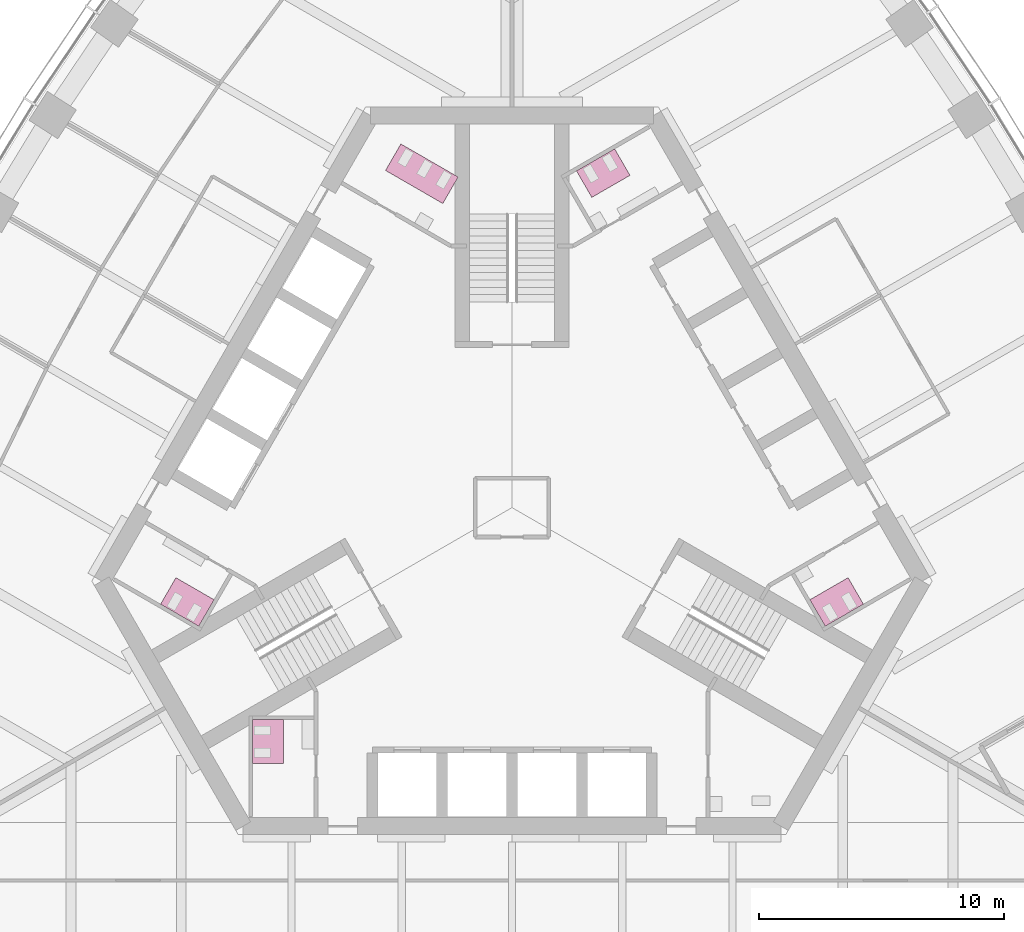
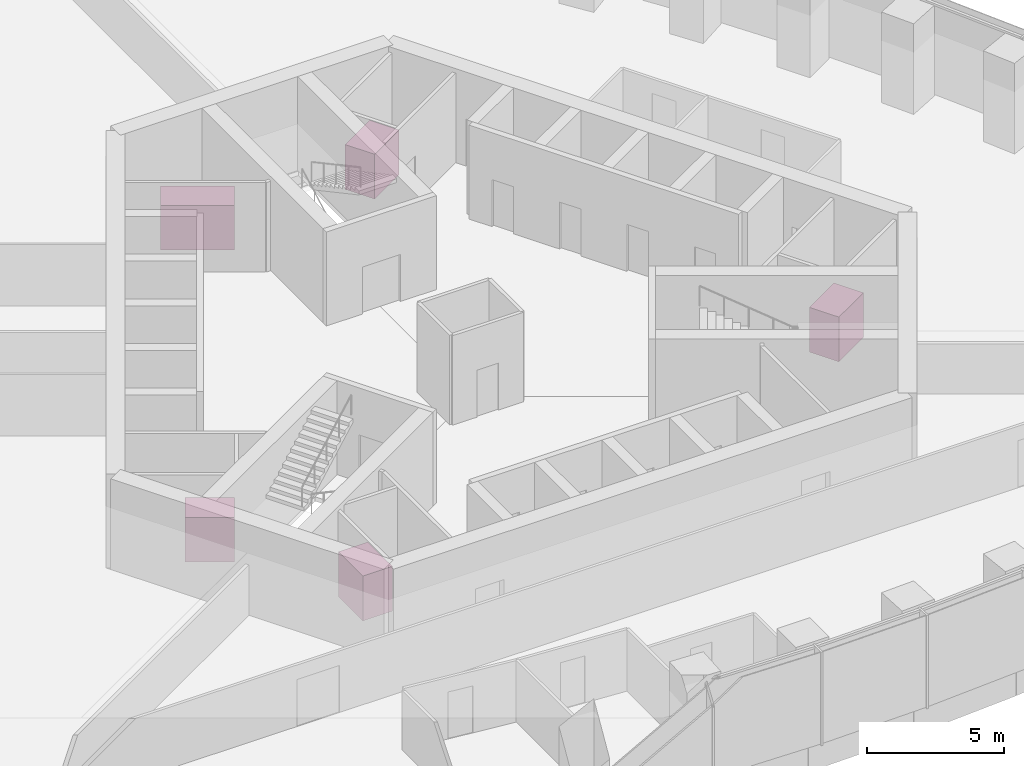
# One storey, part 19 of 19: 5 furniture elements.
"""IFC4 building model written with IfcOpenShell, lengths in metres."""

from ifc_helpers import new_model, si_unit, direction, frame, origin, place, context, subcontext, project, spatial, polyline, outline, extrude, material, type_object, element, save


model = new_model("IFC4")

# Units and contexts
model_context = context("Model", 3, precision=1e-05, world=origin(), true_north=direction((0.0, 1.0)))
body_context = subcontext(model_context, "Body", "Model", "MODEL_VIEW")
ifc_project = project(units=[si_unit("LENGTHUNIT", "METRE"), si_unit("AREAUNIT", "SQUARE_METRE"), si_unit("VOLUMEUNIT", "CUBIC_METRE"), si_unit("PLANEANGLEUNIT", "RADIAN"), si_unit("MASSUNIT", "GRAM", prefix="KILO")], contexts=[model_context])

# Site, building, storey
site_placement = place(None, origin())
site = spatial("IfcSite", under=ifc_project, at=site_placement, CompositionType="ELEMENT")
building_placement = place(site_placement, origin())
building = spatial("IfcBuilding", under=site, at=building_placement, Name="Trefoil Bronze Tower", CompositionType="ELEMENT")
storey_placement = place(building_placement, frame((0.0, 0.0, 248.5)))
storey = spatial("IfcBuildingStorey", under=building, at=storey_placement, Name="L57", CompositionType="ELEMENT", Elevation=248.5)

# Furniture
ifc_material_1 = material(Name="Compact laminate cubicles", Category="plastic")
furniture_type_1 = type_object("IfcFurnitureType", Name="WC cubicle range 2 cubicles", AssemblyPlace="FACTORY", PredefinedType="USERDEFINED", material=ifc_material_1)
furniture_1_placement = place(storey_placement, origin())
element("IfcFurniture", 1, at=furniture_1_placement, inside=storey, type_object=furniture_type_1, Name="WC cubicle range WC (women) L57", ObjectType="WC cubicle range", PredefinedType="USERDEFINED", context=body_context, shape_type="SweptSolid", body=[
    extrude(outline(polyline([(12.15869140625, -3.75927734375), (12.78369140625, -4.841796875), (14.342529296875, -3.94189453125), (13.717529296875, -2.859375), (12.15869140625, -3.75927734375)])), origin(), (0.0, 0.0, 1.0), 2.0),
])
furniture_2_placement = place(storey_placement, origin())
element("IfcFurniture", 2, at=furniture_2_placement, inside=storey, type_object=furniture_type_1, Name="WC cubicle range WC (men) L57", ObjectType="WC cubicle range", PredefinedType="USERDEFINED", context=body_context, shape_type="SweptSolid", body=[
    extrude(outline(polyline([(3.256591796875, 12.659423828125), (2.631591796875, 13.741943359375), (4.1904296875, 14.641845703125), (4.8154296875, 13.559326171875), (3.256591796875, 12.659423828125)])), origin(), (0.0, 0.0, 1.0), 2.0),
])
furniture_3_placement = place(storey_placement, origin())
element("IfcFurniture", 3, at=furniture_3_placement, inside=storey, type_object=furniture_type_1, Name="WC cubicle range WC (men) L57", ObjectType="WC cubicle range", PredefinedType="USERDEFINED", context=body_context, shape_type="SweptSolid", body=[
    extrude(outline(polyline([(-12.15869140625, -3.75927734375), (-12.78369140625, -4.841796875), (-14.342529296875, -3.94189453125), (-13.717529296875, -2.859375), (-12.15869140625, -3.75927734375)])), origin(), (0.0, 0.0, 1.0), 2.0),
])
furniture_4_placement = place(storey_placement, origin())
element("IfcFurniture", 4, at=furniture_4_placement, inside=storey, type_object=furniture_type_1, Name="WC cubicle range WC (women) L57", ObjectType="WC cubicle range", PredefinedType="USERDEFINED", context=body_context, shape_type="SweptSolid", body=[
    extrude(outline(polyline([(-9.3349609375, -8.64990234375), (-10.5849609375, -8.64990234375), (-10.5849609375, -10.449951171875), (-9.3349609375, -10.449951171875), (-9.3349609375, -8.64990234375)])), origin(), (0.0, 0.0, 1.0), 2.0),
])
ifc_material_2 = material(Name="Compact laminate cubicles", Category="plastic")
furniture_type_2 = type_object("IfcFurnitureType", Name="WC cubicle range 3 cubicles", AssemblyPlace="FACTORY", PredefinedType="USERDEFINED", material=ifc_material_2)
furniture_5_placement = place(storey_placement, origin())
element("IfcFurniture", 5, at=furniture_5_placement, inside=storey, type_object=furniture_type_2, Name="WC cubicle range WC (women) L57", ObjectType="WC cubicle range", PredefinedType="USERDEFINED", context=body_context, shape_type="SweptSolid", body=[
    extrude(outline(polyline([(-2.82373046875, 12.409423828125), (-2.19873046875, 13.491943359375), (-4.536865234375, 14.841796875), (-5.161865234375, 13.75927734375), (-2.82373046875, 12.409423828125)])), origin(), (0.0, 0.0, 1.0), 2.0),
])

save(model, "model.ifc")
